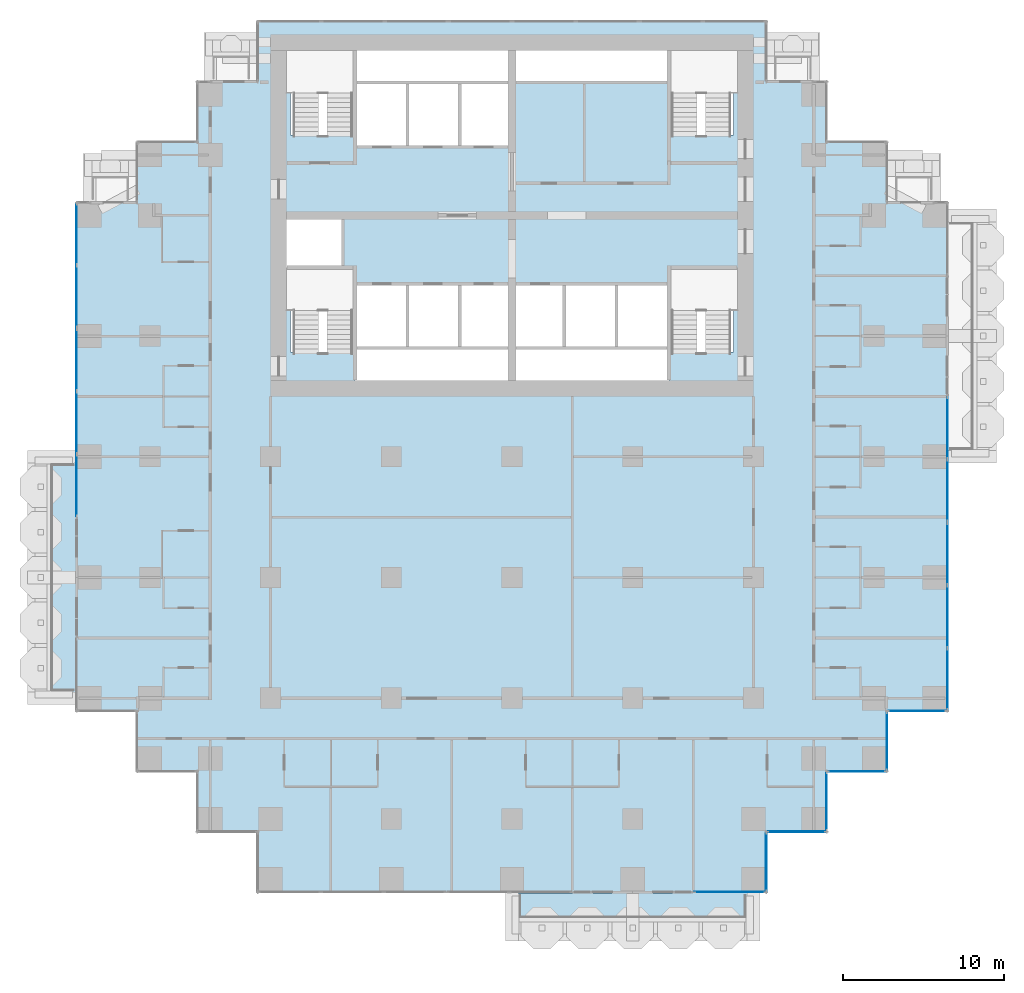
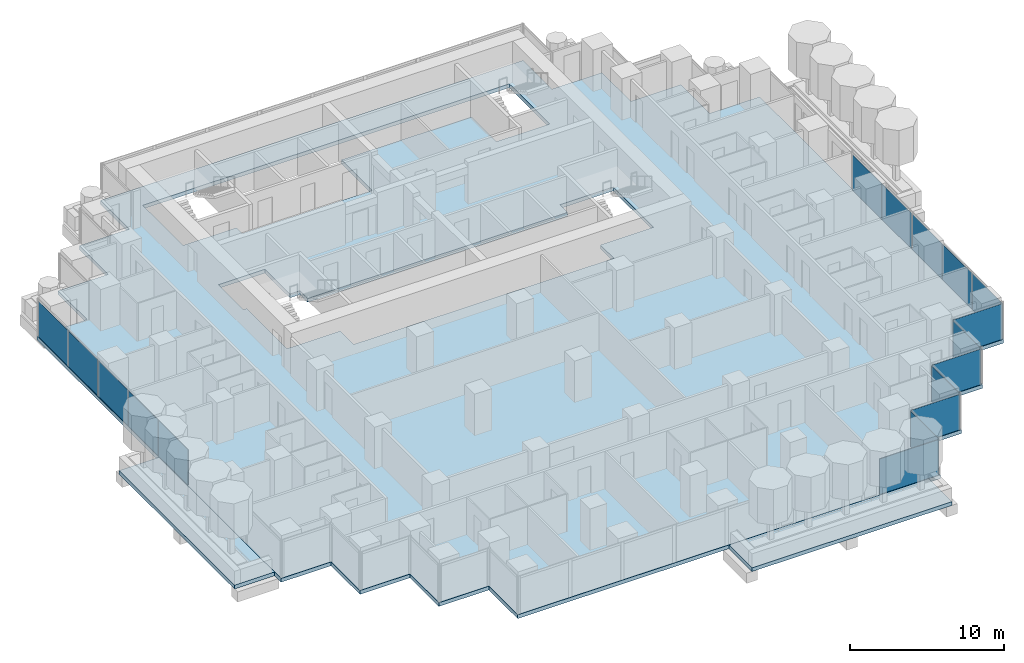
# One storey, part 8 of 19: 17 plates, 3 slabs, 11 elements without a shape of their own.
"""IFC4 building model written with IfcOpenShell, lengths in metres."""

from ifc_helpers import new_model, si_unit, direction, frame, origin, origin_2d, place, context, subcontext, project, spatial, polyline, rectangle, outline, extrude, material, layer, layer_set, type_object, element, aggregate, save


model = new_model("IFC4")

# Units and contexts
model_context = context("Model", 3, precision=1e-05, world=origin(), true_north=direction((0.0, 1.0)))
body_context = subcontext(model_context, "Body", "Model", "MODEL_VIEW")
ifc_project = project(units=[si_unit("LENGTHUNIT", "METRE"), si_unit("AREAUNIT", "SQUARE_METRE"), si_unit("VOLUMEUNIT", "CUBIC_METRE"), si_unit("PLANEANGLEUNIT", "RADIAN"), si_unit("MASSUNIT", "GRAM", prefix="KILO")], contexts=[model_context])

# Site, building, storey
site_placement = place(None, origin())
site = spatial("IfcSite", under=ifc_project, at=site_placement, CompositionType="ELEMENT")
building_placement = place(site_placement, origin())
building = spatial("IfcBuilding", under=site, at=building_placement, Name="Pilkhan Gate Tower", CompositionType="ELEMENT")
storey_placement = place(building_placement, frame((0.0, 0.0, 59.300048828125)))
storey = spatial("IfcBuildingStorey", under=building, at=storey_placement, Name="L12", CompositionType="ELEMENT", Elevation=59.300048828125)

# Slabs
ifc_material_1 = material(Name="Concrete C60/75", Category="concrete")
ifc_layer_1 = layer(ifc_material_1, 0.300048828125)
ifc_layer_set_1 = layer_set([ifc_layer_1], Name="Balcony tray slab TR300")
slab_type_1 = type_object("IfcSlabType", Name="Balcony tray slab TR300", PredefinedType="FLOOR", material=ifc_layer_set_1)
slab_1_placement = place(storey_placement, frame((0.0, 0.0, -0.300048828125)))
element("IfcSlab", 1, at=slab_1_placement, inside=storey, type_object=slab_type_1, Name="Balcony tray L12 S", PredefinedType="FLOOR", context=body_context, shape_type="SweptSolid", body=[
    extrude(outline(polyline([(90.0, 37.39990234375), (90.0, 40.39990234375), (75.0, 40.39990234375), (75.0, 37.39990234375), (90.0, 37.39990234375)])), origin(), (0.0, 0.0, 1.0), 0.300048828125),
])
slab_2_placement = place(storey_placement, frame((0.0, 0.0, -0.300048828125)))
element("IfcSlab", 2, at=slab_2_placement, inside=storey, type_object=slab_type_1, Name="Balcony tray L12 W", PredefinedType="FLOOR", context=body_context, shape_type="SweptSolid", body=[
    extrude(outline(polyline([(47.89990234375, 52.5), (47.89990234375, 67.5), (44.89990234375, 67.5), (44.89990234375, 52.5), (47.89990234375, 52.5)])), origin(), (0.0, 0.0, 1.0), 0.300048828125),
])
ifc_material_2 = material(Name="Concrete C40/50", Category="concrete")
ifc_layer_2 = layer(ifc_material_2, 0.300048828125)
ifc_layer_set_2 = layer_set([ifc_layer_2], Name="Flat plate slab FP300")
slab_type_2 = type_object("IfcSlabType", Name="Flat plate slab FP300", PredefinedType="FLOOR", material=ifc_layer_set_2)
slab_3_placement = place(storey_placement, frame((0.0, 0.0, -0.300048828125)))
element("IfcSlab", 3, at=slab_3_placement, inside=storey, type_object=slab_type_2, Name="Floor slab L12", PredefinedType="FLOOR", context=body_context, shape_type="SweptSolid", body=[
    extrude(outline(polyline([(98.35009765625, 47.89990234375), (94.60009765625, 47.89990234375), (94.60009765625, 44.14990234375), (90.85009765625, 44.14990234375), (90.85009765625, 40.39990234375), (59.14990234375, 40.39990234375), (59.14990234375, 44.14990234375), (55.39990234375, 44.14990234375), (55.39990234375, 47.89990234375), (51.64990234375, 47.89990234375), (51.64990234375, 51.64990234375), (47.89990234375, 51.64990234375), (47.89990234375, 83.35009765625), (51.64990234375, 83.35009765625), (51.64990234375, 87.10009765625), (55.39990234375, 87.10009765625), (55.39990234375, 90.85009765625), (59.14990234375, 90.85009765625), (59.14990234375, 94.60009765625), (90.85009765625, 94.60009765625), (90.85009765625, 90.85009765625), (94.60009765625, 90.85009765625), (94.60009765625, 87.10009765625), (98.35009765625, 87.10009765625), (98.35009765625, 83.35009765625), (102.10009765625, 83.35009765625), (102.10009765625, 51.64990234375), (98.35009765625, 51.64990234375), (98.35009765625, 47.89990234375)]), holes=[polyline([(65.25, 87.5), (65.25, 86.75), (68.5, 86.75), (71.75, 86.75), (75.0, 86.75), (75.0, 90.75), (84.75, 90.75), (84.75, 87.5), (88.75, 87.5), (88.75, 92.75), (84.75, 92.75), (75.0, 92.75), (65.25, 92.75), (61.25, 92.75), (61.25, 87.5), (65.25, 87.5)]), polyline([(75.0, 72.25), (84.75, 72.25), (84.75, 74.0), (88.75, 74.0), (88.75, 79.25), (84.75, 79.25), (84.75, 78.25), (81.5, 78.25), (78.25, 78.25), (75.0, 78.25), (71.75, 78.25), (68.5, 78.25), (65.25, 78.25), (65.25, 79.25), (64.5, 79.25), (64.5, 82.5), (61.25, 82.5), (61.0, 82.5), (61.0, 79.25), (61.25, 79.25), (61.25, 74.0), (65.25, 74.0), (65.25, 72.25), (75.0, 72.25)])]), origin(), (0.0, 0.0, 1.0), 0.300048828125),
])

# Curtain wall, plates
ifc_material_3 = material(Name="Pale anodised aluminium, clear low-iron double glazing", Category="aluminium")
curtain_wall_type = type_object("IfcCurtainWallType", Name="Hotel unitised curtain wall CW-H", PredefinedType="USERDEFINED", material=ifc_material_3)
curtain_wall_1_placement = place(storey_placement, origin())
curtain_wall_1 = element("IfcCurtainWall", 4, at=curtain_wall_1_placement, inside=storey, type_object=curtain_wall_type, Name="Hotel unitised curtain wall CW-H L12 E", ObjectType="UNITISED CURTAIN WALL", PredefinedType="USERDEFINED")
ifc_material_4 = material(Name="Clear low-iron double glazing", Category="glass")
ifc_layer_3 = layer(ifc_material_4, 0.035888671875)
ifc_layer_set_3 = layer_set([ifc_layer_3], Name="Glass panel CW-H 36")
plate_type = type_object("IfcPlateType", Name="Glass panel CW-H 36", PredefinedType="CURTAIN_PANEL", material=ifc_layer_set_3)
plate_1_placement = place(storey_placement, frame((102.044921875, 53.67578125, 0.0), z_axis=(0.0, 0.0, 1.0), x_axis=(0.0, 1.0, 0.0)))
plate_1 = element("IfcPlate", 5, at=plate_1_placement, type_object=plate_type, Name="CW-H panel 1", PredefinedType="CURTAIN_PANEL", context=body_context, shape_type="SweptSolid", body=[
    extrude(rectangle(XDim=3.8115234375, YDim=0.035888671875, at=origin_2d()), origin(), (0.0, 0.0, 1.0), 2.820068359375),
])
plate_2_placement = place(storey_placement, frame((102.044921875, 57.568603515625, 0.0), z_axis=(0.0, 0.0, 1.0), x_axis=(0.0, 1.0, 0.0)))
plate_2 = element("IfcPlate", 6, at=plate_2_placement, type_object=plate_type, Name="CW-H panel 2", PredefinedType="CURTAIN_PANEL", context=body_context, shape_type="SweptSolid", body=[
    extrude(rectangle(XDim=3.843994140625, YDim=0.035888671875, at=origin_2d()), origin(), (0.0, 0.0, 1.0), 2.820068359375),
])
plate_3_placement = place(storey_placement, frame((102.044921875, 61.461181640625, 0.0), z_axis=(0.0, 0.0, 1.0), x_axis=(0.0, 1.0, 0.0)))
plate_3 = element("IfcPlate", 7, at=plate_3_placement, type_object=plate_type, Name="CW-H panel 3", PredefinedType="CURTAIN_PANEL", context=body_context, shape_type="SweptSolid", body=[
    extrude(rectangle(XDim=3.8115234375, YDim=0.035888671875, at=origin_2d()), origin(), (0.0, 0.0, 1.0), 2.820068359375),
])
aggregate(curtain_wall_1, [plate_1, plate_2, plate_3])

curtain_wall_2_placement = place(storey_placement, origin())
curtain_wall_2 = element("IfcCurtainWall", 8, at=curtain_wall_2_placement, inside=storey, type_object=curtain_wall_type, Name="Hotel unitised curtain wall CW-H L12 E", ObjectType="UNITISED CURTAIN WALL", PredefinedType="USERDEFINED")
plate_4_placement = place(storey_placement, frame((102.044921875, 65.40283203125, 0.0), z_axis=(0.0, 0.0, 1.0), x_axis=(0.0, 1.0, 0.0)))
plate_4 = element("IfcPlate", 9, at=plate_4_placement, type_object=plate_type, Name="CW-H panel 1", PredefinedType="CURTAIN_PANEL", context=body_context, shape_type="SweptSolid", body=[
    extrude(rectangle(XDim=3.8115234375, YDim=0.035888671875, at=origin_2d()), origin(), (0.0, 0.0, 1.0), 2.820068359375),
])
plate_5_placement = place(storey_placement, frame((102.044921875, 69.279296875, 0.0), z_axis=(0.0, 0.0, 1.0), x_axis=(0.0, 1.0, 0.0)))
plate_5 = element("IfcPlate", 10, at=plate_5_placement, type_object=plate_type, Name="CW-H panel 2", PredefinedType="CURTAIN_PANEL", context=body_context, shape_type="SweptSolid", body=[
    extrude(rectangle(XDim=3.8115234375, YDim=0.035888671875, at=origin_2d()), origin(), (0.0, 0.0, 1.0), 2.820068359375),
])
aggregate(curtain_wall_2, [plate_4, plate_5])

curtain_wall_3_placement = place(storey_placement, origin())
curtain_wall_3 = element("IfcCurtainWall", 11, at=curtain_wall_3_placement, inside=storey, type_object=curtain_wall_type, Name="Hotel unitised curtain wall CW-H L12 W", ObjectType="UNITISED CURTAIN WALL", PredefinedType="USERDEFINED")
plate_6_placement = place(storey_placement, frame((47.955078125, 65.720703125, 0.0), z_axis=(0.0, 0.0, 1.0), x_axis=(0.0, 1.0, 0.0)))
plate_6 = element("IfcPlate", 12, at=plate_6_placement, type_object=plate_type, Name="CW-H panel 1", PredefinedType="CURTAIN_PANEL", context=body_context, shape_type="SweptSolid", body=[
    extrude(rectangle(XDim=3.8115234375, YDim=0.035888671875, at=origin_2d()), origin(), (0.0, 0.0, 1.0), 2.820068359375),
])
plate_7_placement = place(storey_placement, frame((47.955078125, 69.613525390625, 0.0), z_axis=(0.0, 0.0, 1.0), x_axis=(0.0, 1.0, 0.0)))
plate_7 = element("IfcPlate", 13, at=plate_7_placement, type_object=plate_type, Name="CW-H panel 2", PredefinedType="CURTAIN_PANEL", context=body_context, shape_type="SweptSolid", body=[
    extrude(rectangle(XDim=3.843994140625, YDim=0.035888671875, at=origin_2d()), origin(), (0.0, 0.0, 1.0), 2.820068359375),
])
plate_8_placement = place(storey_placement, frame((47.955078125, 73.50634765625, 0.0), z_axis=(0.0, 0.0, 1.0), x_axis=(0.0, 1.0, 0.0)))
plate_8 = element("IfcPlate", 14, at=plate_8_placement, type_object=plate_type, Name="CW-H panel 3", PredefinedType="CURTAIN_PANEL", context=body_context, shape_type="SweptSolid", body=[
    extrude(rectangle(XDim=3.8115234375, YDim=0.035888671875, at=origin_2d()), origin(), (0.0, 0.0, 1.0), 2.820068359375),
])
aggregate(curtain_wall_3, [plate_6, plate_7, plate_8])

curtain_wall_4_placement = place(storey_placement, origin())
curtain_wall_4 = element("IfcCurtainWall", 15, at=curtain_wall_4_placement, inside=storey, type_object=curtain_wall_type, Name="Hotel unitised curtain wall CW-H L12 W", ObjectType="UNITISED CURTAIN WALL", PredefinedType="USERDEFINED")
plate_9_placement = place(storey_placement, frame((47.955078125, 77.44775390625, 0.0), z_axis=(0.0, 0.0, 1.0), x_axis=(0.0, 1.0, 0.0)))
plate_9 = element("IfcPlate", 16, at=plate_9_placement, type_object=plate_type, Name="CW-H panel 1", PredefinedType="CURTAIN_PANEL", context=body_context, shape_type="SweptSolid", body=[
    extrude(rectangle(XDim=3.8115234375, YDim=0.035888671875, at=origin_2d()), origin(), (0.0, 0.0, 1.0), 2.820068359375),
])
plate_10_placement = place(storey_placement, frame((47.955078125, 81.32421875, 0.0), z_axis=(0.0, 0.0, 1.0), x_axis=(0.0, 1.0, 0.0)))
plate_10 = element("IfcPlate", 17, at=plate_10_placement, type_object=plate_type, Name="CW-H panel 2", PredefinedType="CURTAIN_PANEL", context=body_context, shape_type="SweptSolid", body=[
    extrude(rectangle(XDim=3.8115234375, YDim=0.035888671875, at=origin_2d()), origin(), (0.0, 0.0, 1.0), 2.820068359375),
])
aggregate(curtain_wall_4, [plate_9, plate_10])

# Curtain wall, plate
curtain_wall_5_placement = place(storey_placement, origin())
curtain_wall_5 = element("IfcCurtainWall", 18, at=curtain_wall_5_placement, inside=storey, type_object=curtain_wall_type, Name="Hotel unitised curtain wall CW-H L12 S", ObjectType="UNITISED CURTAIN WALL", PredefinedType="USERDEFINED")
plate_11_placement = place(storey_placement, frame((88.5224609375, 40.455078125, 0.0), z_axis=(0.0, 0.0, 1.0), x_axis=(1.0, 0.0, 0.0)))
plate_11 = element("IfcPlate", 19, at=plate_11_placement, type_object=plate_type, Name="CW-H panel 1", PredefinedType="CURTAIN_PANEL", context=body_context, shape_type="SweptSolid", body=[
    extrude(rectangle(XDim=4.4150390625, YDim=0.035888671875, at=origin_2d()), origin(), (0.0, 0.0, 1.0), 2.820068359375),
])
aggregate(curtain_wall_5, [plate_11])

curtain_wall_6_placement = place(storey_placement, origin())
curtain_wall_6 = element("IfcCurtainWall", 20, at=curtain_wall_6_placement, inside=storey, type_object=curtain_wall_type, Name="Hotel unitised curtain wall CW-H L12 E", ObjectType="UNITISED CURTAIN WALL", PredefinedType="USERDEFINED")
plate_12_placement = place(storey_placement, frame((90.794921875, 42.330078125, 0.0), z_axis=(0.0, 0.0, 1.0), x_axis=(0.0, 1.0, 0.0)))
plate_12 = element("IfcPlate", 21, at=plate_12_placement, type_object=plate_type, Name="CW-H panel 1", PredefinedType="CURTAIN_PANEL", context=body_context, shape_type="SweptSolid", body=[
    extrude(rectangle(XDim=3.6201171875, YDim=0.035888671875, at=origin_2d()), origin(), (0.0, 0.0, 1.0), 2.820068359375),
])
aggregate(curtain_wall_6, [plate_12])

curtain_wall_7_placement = place(storey_placement, origin())
curtain_wall_7 = element("IfcCurtainWall", 22, at=curtain_wall_7_placement, inside=storey, type_object=curtain_wall_type, Name="Hotel unitised curtain wall CW-H L12 S", ObjectType="UNITISED CURTAIN WALL", PredefinedType="USERDEFINED")
plate_13_placement = place(storey_placement, frame((92.669921875, 44.205078125, 0.0), z_axis=(0.0, 0.0, 1.0), x_axis=(1.0, 0.0, 0.0)))
plate_13 = element("IfcPlate", 23, at=plate_13_placement, type_object=plate_type, Name="CW-H panel 1", PredefinedType="CURTAIN_PANEL", context=body_context, shape_type="SweptSolid", body=[
    extrude(rectangle(XDim=3.6201171875, YDim=0.035888671875, at=origin_2d()), origin(), (0.0, 0.0, 1.0), 2.820068359375),
])
aggregate(curtain_wall_7, [plate_13])

curtain_wall_8_placement = place(storey_placement, origin())
curtain_wall_8 = element("IfcCurtainWall", 24, at=curtain_wall_8_placement, inside=storey, type_object=curtain_wall_type, Name="Hotel unitised curtain wall CW-H L12 E", ObjectType="UNITISED CURTAIN WALL", PredefinedType="USERDEFINED")
plate_14_placement = place(storey_placement, frame((94.544921875, 46.080078125, 0.0), z_axis=(0.0, 0.0, 1.0), x_axis=(0.0, 1.0, 0.0)))
plate_14 = element("IfcPlate", 25, at=plate_14_placement, type_object=plate_type, Name="CW-H panel 1", PredefinedType="CURTAIN_PANEL", context=body_context, shape_type="SweptSolid", body=[
    extrude(rectangle(XDim=3.6201171875, YDim=0.035888671875, at=origin_2d()), origin(), (0.0, 0.0, 1.0), 2.820068359375),
])
aggregate(curtain_wall_8, [plate_14])

curtain_wall_9_placement = place(storey_placement, origin())
curtain_wall_9 = element("IfcCurtainWall", 26, at=curtain_wall_9_placement, inside=storey, type_object=curtain_wall_type, Name="Hotel unitised curtain wall CW-H L12 S", ObjectType="UNITISED CURTAIN WALL", PredefinedType="USERDEFINED")
plate_15_placement = place(storey_placement, frame((96.419921875, 47.955078125, 0.0), z_axis=(0.0, 0.0, 1.0), x_axis=(1.0, 0.0, 0.0)))
plate_15 = element("IfcPlate", 27, at=plate_15_placement, type_object=plate_type, Name="CW-H panel 1", PredefinedType="CURTAIN_PANEL", context=body_context, shape_type="SweptSolid", body=[
    extrude(rectangle(XDim=3.6201171875, YDim=0.035888671875, at=origin_2d()), origin(), (0.0, 0.0, 1.0), 2.820068359375),
])
aggregate(curtain_wall_9, [plate_15])

curtain_wall_10_placement = place(storey_placement, origin())
curtain_wall_10 = element("IfcCurtainWall", 28, at=curtain_wall_10_placement, inside=storey, type_object=curtain_wall_type, Name="Hotel unitised curtain wall CW-H L12 E", ObjectType="UNITISED CURTAIN WALL", PredefinedType="USERDEFINED")
plate_16_placement = place(storey_placement, frame((98.294921875, 49.830078125, 0.0), z_axis=(0.0, 0.0, 1.0), x_axis=(0.0, 1.0, 0.0)))
plate_16 = element("IfcPlate", 29, at=plate_16_placement, type_object=plate_type, Name="CW-H panel 1", PredefinedType="CURTAIN_PANEL", context=body_context, shape_type="SweptSolid", body=[
    extrude(rectangle(XDim=3.6201171875, YDim=0.035888671875, at=origin_2d()), origin(), (0.0, 0.0, 1.0), 2.820068359375),
])
aggregate(curtain_wall_10, [plate_16])

curtain_wall_11_placement = place(storey_placement, origin())
curtain_wall_11 = element("IfcCurtainWall", 30, at=curtain_wall_11_placement, inside=storey, type_object=curtain_wall_type, Name="Hotel unitised curtain wall CW-H L12 S", ObjectType="UNITISED CURTAIN WALL", PredefinedType="USERDEFINED")
plate_17_placement = place(storey_placement, frame((100.169921875, 51.705078125, 0.0), z_axis=(0.0, 0.0, 1.0), x_axis=(1.0, 0.0, 0.0)))
plate_17 = element("IfcPlate", 31, at=plate_17_placement, type_object=plate_type, Name="CW-H panel 1", PredefinedType="CURTAIN_PANEL", context=body_context, shape_type="SweptSolid", body=[
    extrude(rectangle(XDim=3.6201171875, YDim=0.035888671875, at=origin_2d()), origin(), (0.0, 0.0, 1.0), 2.820068359375),
])
aggregate(curtain_wall_11, [plate_17])

save(model, "model.ifc")
